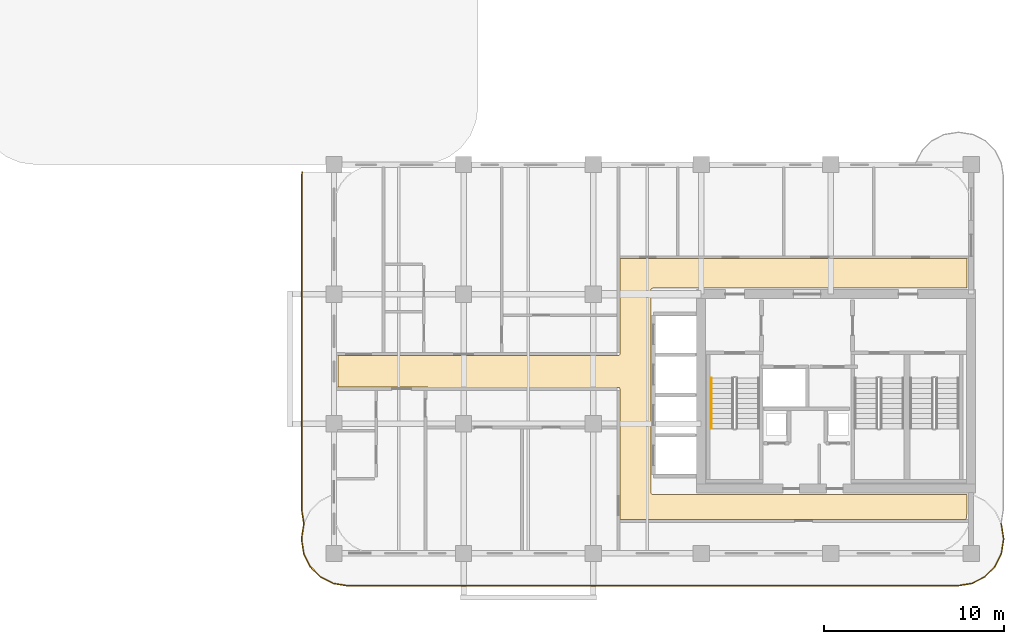
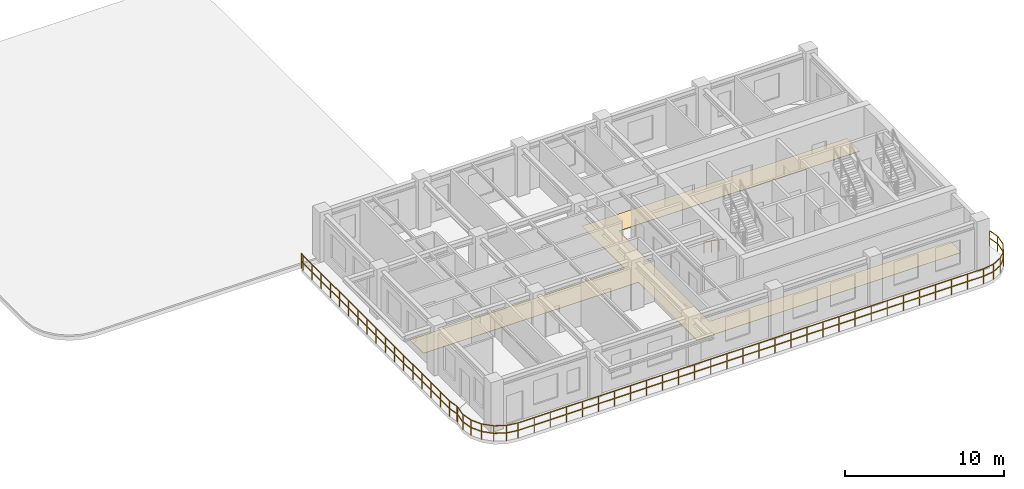
# One storey, part 7 of 8: 3 railings, 1 covering.
"""IFC4 building model written with IfcOpenShell, lengths in metres."""

from ifc_helpers import new_model, si_unit, derived_unit, direction, frame, origin, origin_2d, place, context, subcontext, project, spatial, polyline, rectangle, outline, extrude, material, layer, layer_set, type_object, element, save


model = new_model("IFC4")

# Units and contexts
model_context = context("Model", 3, precision=1e-05, world=origin(), true_north=direction((0.0, 1.0)))
body_context = subcontext(model_context, "Body", "Model", "MODEL_VIEW")
ifc_project = project(units=[si_unit("LENGTHUNIT", "METRE"), si_unit("AREAUNIT", "SQUARE_METRE"), si_unit("VOLUMEUNIT", "CUBIC_METRE"), si_unit("PLANEANGLEUNIT", "RADIAN"), si_unit("MASSUNIT", "GRAM", prefix="KILO"), si_unit("THERMODYNAMICTEMPERATUREUNIT", "KELVIN"), si_unit("POWERUNIT", "WATT"), derived_unit("THERMALTRANSMITTANCEUNIT", [(si_unit("POWERUNIT", "WATT"), 1), (si_unit("AREAUNIT", "SQUARE_METRE"), -1), (si_unit("THERMODYNAMICTEMPERATUREUNIT", "KELVIN"), -1)])], contexts=[model_context])

# Site, building, storey
site_placement = place(None, origin())
site = spatial("IfcSite", under=ifc_project, at=site_placement, CompositionType="ELEMENT")
building_placement = place(site_placement, origin())
building = spatial("IfcBuilding", under=site, at=building_placement, Name="Zahravan Archway Hotel and Residences", CompositionType="ELEMENT")
storey_placement = place(building_placement, frame((0.0, 0.0, 213.449951171875)))
storey = spatial("IfcBuildingStorey", under=building, at=storey_placement, Name="L53", CompositionType="ELEMENT", Elevation=213.449951171875)

# Covering
ifc_material_1 = material(Name="Engineered Walnut Parquet Flooring")
ifc_layer = layer(ifc_material_1, 0.02197265625, Name="Engineered Walnut Parquet Flooring")
ifc_layer_set = layer_set([ifc_layer], Name="Engineered Walnut Parquet Flooring")
covering_type = type_object("IfcCoveringType", Name="COV-FLR-TIMB", PredefinedType="FLOORING", material=ifc_layer_set)
covering_placement = place(storey_placement, origin())
element("IfcCovering", 1, at=covering_placement, inside=storey, type_object=covering_type, Name="L53 Circulation Floor Finish", PredefinedType="FLOORING", context=body_context, shape_type="SweptSolid", body=[
    extrude(outline(polyline([(30.215576171875, 10.991455078125), (30.256591796875, 11.013427734375), (30.278564453125, 11.054443359375), (30.280029296875, 16.3701171875), (49.580078125, 16.3701171875), (49.580078125, 14.72998046875), (32.10009765625, 14.72998046875), (32.0556640625, 14.716552734375), (32.026123046875, 14.6806640625), (32.02001953125, 3.35009765625), (32.033447265625, 3.3056640625), (32.0693359375, 3.276123046875), (49.580078125, 3.27001953125), (49.580078125, 2.410888671875), (49.537109375, 1.974853515625), (49.50830078125, 1.8798828125), (30.280029296875, 1.8798828125), (30.280029296875, 9.14990234375), (30.2666015625, 9.1943359375), (30.230712890625, 9.223876953125), (14.6201171875, 9.22998046875), (14.6201171875, 10.989990234375), (30.199951171875, 10.989990234375), (30.215576171875, 10.991455078125)])), origin(), (0.0, 0.0, 1.0), 0.02197265625),
])

# Railings
ifc_material_2 = material(Name="Bronze & Laminated Glass Balustrade", Category="glass")
railing_type_1 = type_object("IfcRailingType", Name="RL-BAL-1200", PredefinedType="BALUSTRADE", material=ifc_material_2)
railing_1_placement = place(storey_placement, frame((51.47509765625, 1.637939453125, 0.0)))
element("IfcRailing", 2, at=railing_1_placement, inside=storey, type_object=railing_type_1, Name="L53 Balustrade RL-SLB-BAL-L53-SA-1", PredefinedType="BALUSTRADE", context=body_context, shape_type="SweptSolid", body=[
    extrude(rectangle(XDim=0.048095703125, YDim=0.048095703125, at=origin_2d()), frame((0.0, 0.0, 1.17578125), z_axis=(0.156701202656, -0.987646056584, 0.0), x_axis=(0.987646056584, 0.156701202656, 0.0)), (0.0, 0.0, 1.0), 0.797607421875),
    extrude(rectangle(XDim=0.048095703125, YDim=0.048095703125, at=origin_2d()), frame((0.0, 0.0, 0.60009765625), z_axis=(0.156701202656, -0.987646056584, 0.0), x_axis=(0.987646056584, 0.156701202656, 0.0)), (0.0, 0.0, 1.0), 0.797607421875),
    extrude(rectangle(XDim=0.048095703125, YDim=0.048095703125, at=origin_2d()), frame((0.125, -0.787841796875, 1.17578125), z_axis=(0.0, -1.0, 0.0), x_axis=(1.0, 0.0, 0.0)), (0.0, 0.0, 1.0), 0.10009765625),
    extrude(rectangle(XDim=0.048095703125, YDim=0.048095703125, at=origin_2d()), frame((0.125, -0.787841796875, 0.60009765625), z_axis=(0.0, -1.0, 0.0), x_axis=(1.0, 0.0, 0.0)), (0.0, 0.0, 1.0), 0.10009765625),
    extrude(rectangle(XDim=0.048095703125, YDim=0.048095703125, at=origin_2d()), frame((0.125, -0.887939453125, 1.17578125), z_axis=(-0.156653849773, -0.98765356849, 0.0), x_axis=(0.98765356849, -0.156653849773, 0.0)), (0.0, 0.0, 1.0), 0.7978515625),
    extrude(rectangle(XDim=0.048095703125, YDim=0.048095703125, at=origin_2d()), frame((0.125, -0.887939453125, 0.60009765625), z_axis=(-0.156653849773, -0.98765356849, 0.0), x_axis=(0.98765356849, -0.156653849773, 0.0)), (0.0, 0.0, 1.0), 0.7978515625),
    extrude(rectangle(XDim=0.048095703125, YDim=0.048095703125, at=origin_2d()), frame((0.0, -1.676025390625, 1.17578125), z_axis=(-0.453934952053, -0.891034824967, 0.0), x_axis=(0.891034824967, -0.453934952053, 0.0)), (0.0, 0.0, 1.0), 0.797607421875),
    extrude(rectangle(XDim=0.048095703125, YDim=0.048095703125, at=origin_2d()), frame((0.0, -1.676025390625, 0.60009765625), z_axis=(-0.453934952053, -0.891034824967, 0.0), x_axis=(0.891034824967, -0.453934952053, 0.0)), (0.0, 0.0, 1.0), 0.797607421875),
    extrude(rectangle(XDim=0.048095703125, YDim=0.048095703125, at=origin_2d()), frame((-0.362060546875, -2.38671875, 1.17578125), z_axis=(-0.707106781187, -0.707106781187, 0.0), x_axis=(0.707106781187, -0.707106781187, 0.0)), (0.0, 0.0, 1.0), 0.7978515625),
    extrude(rectangle(XDim=0.048095703125, YDim=0.048095703125, at=origin_2d()), frame((-0.362060546875, -2.38671875, 0.60009765625), z_axis=(-0.707106781187, -0.707106781187, 0.0), x_axis=(0.707106781187, -0.707106781187, 0.0)), (0.0, 0.0, 1.0), 0.7978515625),
    extrude(rectangle(XDim=0.048095703125, YDim=0.048095703125, at=origin_2d()), frame((-0.92626953125, -2.950927734375, 1.17578125), z_axis=(-0.890974108706, -0.454054113091, 0.0), x_axis=(0.454054113091, -0.890974108706, 0.0)), (0.0, 0.0, 1.0), 0.7978515625),
    extrude(rectangle(XDim=0.048095703125, YDim=0.048095703125, at=origin_2d()), frame((-0.92626953125, -2.950927734375, 0.60009765625), z_axis=(-0.890974108706, -0.454054113091, 0.0), x_axis=(0.454054113091, -0.890974108706, 0.0)), (0.0, 0.0, 1.0), 0.7978515625),
    extrude(rectangle(XDim=0.048095703125, YDim=0.048095703125, at=origin_2d()), frame((-1.63720703125, -3.313232421875, 1.17578125), z_axis=(-0.987693380745, -0.156402639467, 0.0), x_axis=(0.156402639467, -0.987693380745, 0.0)), (0.0, 0.0, 1.0), 0.797607421875),
    extrude(rectangle(XDim=0.048095703125, YDim=0.048095703125, at=origin_2d()), frame((-1.63720703125, -3.313232421875, 0.60009765625), z_axis=(-0.987693380745, -0.156402639467, 0.0), x_axis=(0.156402639467, -0.987693380745, 0.0)), (0.0, 0.0, 1.0), 0.797607421875),
    extrude(rectangle(XDim=0.048095703125, YDim=0.048095703125, at=origin_2d()), frame((-2.425048828125, -3.43798828125, 1.17578125), z_axis=(-1.0, 0.0, 0.0), x_axis=(0.0, -1.0, 0.0)), (0.0, 0.0, 1.0), 33.900146484375),
    extrude(rectangle(XDim=0.048095703125, YDim=0.048095703125, at=origin_2d()), frame((-2.425048828125, -3.43798828125, 0.60009765625), z_axis=(-1.0, 0.0, 0.0), x_axis=(0.0, -1.0, 0.0)), (0.0, 0.0, 1.0), 33.900146484375),
    extrude(rectangle(XDim=0.048095703125, YDim=0.048095703125, at=origin_2d()), frame((-36.3251953125, -3.43798828125, 1.17578125), z_axis=(-0.987693380745, 0.156402639467, 0.0), x_axis=(-0.156402639467, -0.987693380745, 0.0)), (0.0, 0.0, 1.0), 0.797607421875),
    extrude(rectangle(XDim=0.048095703125, YDim=0.048095703125, at=origin_2d()), frame((-36.3251953125, -3.43798828125, 0.60009765625), z_axis=(-0.987693380745, 0.156402639467, 0.0), x_axis=(-0.156402639467, -0.987693380745, 0.0)), (0.0, 0.0, 1.0), 0.797607421875),
    extrude(rectangle(XDim=0.048095703125, YDim=0.048095703125, at=origin_2d()), frame((-37.113037109375, -3.313232421875, 1.17578125), z_axis=(-0.890974108706, 0.454054113091, 0.0), x_axis=(-0.454054113091, -0.890974108706, 0.0)), (0.0, 0.0, 1.0), 0.7978515625),
    extrude(rectangle(XDim=0.048095703125, YDim=0.048095703125, at=origin_2d()), frame((-37.113037109375, -3.313232421875, 0.60009765625), z_axis=(-0.890974108706, 0.454054113091, 0.0), x_axis=(-0.454054113091, -0.890974108706, 0.0)), (0.0, 0.0, 1.0), 0.7978515625),
    extrude(rectangle(XDim=0.048095703125, YDim=0.048095703125, at=origin_2d()), frame((-37.823974609375, -2.950927734375, 1.17578125), z_axis=(-0.707106781187, 0.707106781187, 0.0), x_axis=(-0.707106781187, -0.707106781187, 0.0)), (0.0, 0.0, 1.0), 0.7978515625),
    extrude(rectangle(XDim=0.048095703125, YDim=0.048095703125, at=origin_2d()), frame((-37.823974609375, -2.950927734375, 0.60009765625), z_axis=(-0.707106781187, 0.707106781187, 0.0), x_axis=(-0.707106781187, -0.707106781187, 0.0)), (0.0, 0.0, 1.0), 0.7978515625),
    extrude(rectangle(XDim=0.048095703125, YDim=0.048095703125, at=origin_2d()), frame((-38.38818359375, -2.38671875, 1.17578125), z_axis=(-0.453934952053, 0.891034824967, 0.0), x_axis=(-0.891034824967, -0.453934952053, 0.0)), (0.0, 0.0, 1.0), 0.797607421875),
    extrude(rectangle(XDim=0.048095703125, YDim=0.048095703125, at=origin_2d()), frame((-38.38818359375, -2.38671875, 0.60009765625), z_axis=(-0.453934952053, 0.891034824967, 0.0), x_axis=(-0.891034824967, -0.453934952053, 0.0)), (0.0, 0.0, 1.0), 0.797607421875),
    extrude(rectangle(XDim=0.048095703125, YDim=0.048095703125, at=origin_2d()), frame((-38.750244140625, -1.676025390625, 1.17578125), z_axis=(-0.156355372278, 0.987700864412, 0.0), x_axis=(-0.987700864412, -0.156355372278, 0.0)), (0.0, 0.0, 1.0), 0.7978515625),
    extrude(rectangle(XDim=0.048095703125, YDim=0.048095703125, at=origin_2d()), frame((-38.750244140625, -1.676025390625, 0.60009765625), z_axis=(-0.156355372278, 0.987700864412, 0.0), x_axis=(-0.987700864412, -0.156355372278, 0.0)), (0.0, 0.0, 1.0), 0.7978515625),
    extrude(rectangle(XDim=0.048095703125, YDim=0.048095703125, at=origin_2d()), frame((-38.875, -0.887939453125, 1.17578125), z_axis=(0.0, 1.0, 0.0), x_axis=(-1.0, 0.0, 0.0)), (0.0, 0.0, 1.0), 0.10009765625),
    extrude(rectangle(XDim=0.048095703125, YDim=0.048095703125, at=origin_2d()), frame((-38.875, -0.887939453125, 0.60009765625), z_axis=(0.0, 1.0, 0.0), x_axis=(-1.0, 0.0, 0.0)), (0.0, 0.0, 1.0), 0.10009765625),
    extrude(rectangle(XDim=0.048095703125, YDim=0.048095703125, at=origin_2d()), frame((-38.875, -0.787841796875, 1.17578125), z_axis=(0.156402639467, 0.987693380745, 0.0), x_axis=(-0.987693380745, 0.156402639467, 0.0)), (0.0, 0.0, 1.0), 0.797607421875),
    extrude(rectangle(XDim=0.048095703125, YDim=0.048095703125, at=origin_2d()), frame((-38.875, -0.787841796875, 0.60009765625), z_axis=(0.156402639467, 0.987693380745, 0.0), x_axis=(-0.987693380745, 0.156402639467, 0.0)), (0.0, 0.0, 1.0), 0.797607421875),
    extrude(rectangle(XDim=0.0419921875, YDim=0.0419921875, at=origin_2d()), origin(), (0.0, 0.0, 1.0), 1.15185546875),
    extrude(rectangle(XDim=0.0419921875, YDim=0.0419921875, at=origin_2d()), frame((0.125, -0.787841796875, 0.0)), (0.0, 0.0, 1.0), 1.15185546875),
    extrude(rectangle(XDim=0.0419921875, YDim=0.0419921875, at=origin_2d()), frame((0.0, -1.676025390625, 0.0)), (0.0, 0.0, 1.0), 1.15185546875),
    extrude(rectangle(XDim=0.0419921875, YDim=0.0419921875, at=origin_2d()), frame((-0.362060546875, -2.38671875, 0.0)), (0.0, 0.0, 1.0), 1.15185546875),
    extrude(rectangle(XDim=0.0419921875, YDim=0.0419921875, at=origin_2d()), frame((-0.92626953125, -2.950927734375, 0.0)), (0.0, 0.0, 1.0), 1.15185546875),
    extrude(rectangle(XDim=0.0419921875, YDim=0.0419921875, at=origin_2d()), frame((-1.63720703125, -3.313232421875, 0.0)), (0.0, 0.0, 1.0), 1.15185546875),
    extrude(rectangle(XDim=0.0419921875, YDim=0.0419921875, at=origin_2d()), frame((-2.425048828125, -3.43798828125, 0.0)), (0.0, 0.0, 1.0), 1.15185546875),
    extrude(rectangle(XDim=0.0419921875, YDim=0.0419921875, at=origin_2d()), frame((-3.593994140625, -3.43798828125, 0.0)), (0.0, 0.0, 1.0), 1.15185546875),
    extrude(rectangle(XDim=0.0419921875, YDim=0.0419921875, at=origin_2d()), frame((-4.762939453125, -3.43798828125, 0.0)), (0.0, 0.0, 1.0), 1.15185546875),
    extrude(rectangle(XDim=0.0419921875, YDim=0.0419921875, at=origin_2d()), frame((-5.931884765625, -3.43798828125, 0.0)), (0.0, 0.0, 1.0), 1.15185546875),
    extrude(rectangle(XDim=0.0419921875, YDim=0.0419921875, at=origin_2d()), frame((-7.100830078125, -3.43798828125, 0.0)), (0.0, 0.0, 1.0), 1.15185546875),
    extrude(rectangle(XDim=0.0419921875, YDim=0.0419921875, at=origin_2d()), frame((-8.27001953125, -3.43798828125, 0.0)), (0.0, 0.0, 1.0), 1.15185546875),
    extrude(rectangle(XDim=0.0419921875, YDim=0.0419921875, at=origin_2d()), frame((-9.43896484375, -3.43798828125, 0.0)), (0.0, 0.0, 1.0), 1.15185546875),
    extrude(rectangle(XDim=0.0419921875, YDim=0.0419921875, at=origin_2d()), frame((-10.60791015625, -3.43798828125, 0.0)), (0.0, 0.0, 1.0), 1.15185546875),
    extrude(rectangle(XDim=0.0419921875, YDim=0.0419921875, at=origin_2d()), frame((-11.77685546875, -3.43798828125, 0.0)), (0.0, 0.0, 1.0), 1.15185546875),
    extrude(rectangle(XDim=0.0419921875, YDim=0.0419921875, at=origin_2d()), frame((-12.94580078125, -3.43798828125, 0.0)), (0.0, 0.0, 1.0), 1.15185546875),
    extrude(rectangle(XDim=0.0419921875, YDim=0.0419921875, at=origin_2d()), frame((-14.11474609375, -3.43798828125, 0.0)), (0.0, 0.0, 1.0), 1.15185546875),
    extrude(rectangle(XDim=0.0419921875, YDim=0.0419921875, at=origin_2d()), frame((-15.28369140625, -3.43798828125, 0.0)), (0.0, 0.0, 1.0), 1.15185546875),
    extrude(rectangle(XDim=0.0419921875, YDim=0.0419921875, at=origin_2d()), frame((-16.45263671875, -3.43798828125, 0.0)), (0.0, 0.0, 1.0), 1.15185546875),
    extrude(rectangle(XDim=0.0419921875, YDim=0.0419921875, at=origin_2d()), frame((-17.62158203125, -3.43798828125, 0.0)), (0.0, 0.0, 1.0), 1.15185546875),
    extrude(rectangle(XDim=0.0419921875, YDim=0.0419921875, at=origin_2d()), frame((-18.79052734375, -3.43798828125, 0.0)), (0.0, 0.0, 1.0), 1.15185546875),
    extrude(rectangle(XDim=0.0419921875, YDim=0.0419921875, at=origin_2d()), frame((-19.959716796875, -3.43798828125, 0.0)), (0.0, 0.0, 1.0), 1.15185546875),
    extrude(rectangle(XDim=0.0419921875, YDim=0.0419921875, at=origin_2d()), frame((-21.128662109375, -3.43798828125, 0.0)), (0.0, 0.0, 1.0), 1.15185546875),
    extrude(rectangle(XDim=0.0419921875, YDim=0.0419921875, at=origin_2d()), frame((-22.297607421875, -3.43798828125, 0.0)), (0.0, 0.0, 1.0), 1.15185546875),
    extrude(rectangle(XDim=0.0419921875, YDim=0.0419921875, at=origin_2d()), frame((-23.466552734375, -3.43798828125, 0.0)), (0.0, 0.0, 1.0), 1.15185546875),
    extrude(rectangle(XDim=0.0419921875, YDim=0.0419921875, at=origin_2d()), frame((-24.635498046875, -3.43798828125, 0.0)), (0.0, 0.0, 1.0), 1.15185546875),
    extrude(rectangle(XDim=0.0419921875, YDim=0.0419921875, at=origin_2d()), frame((-25.804443359375, -3.43798828125, 0.0)), (0.0, 0.0, 1.0), 1.15185546875),
    extrude(rectangle(XDim=0.0419921875, YDim=0.0419921875, at=origin_2d()), frame((-26.973388671875, -3.43798828125, 0.0)), (0.0, 0.0, 1.0), 1.15185546875),
    extrude(rectangle(XDim=0.0419921875, YDim=0.0419921875, at=origin_2d()), frame((-28.142333984375, -3.43798828125, 0.0)), (0.0, 0.0, 1.0), 1.15185546875),
    extrude(rectangle(XDim=0.0419921875, YDim=0.0419921875, at=origin_2d()), frame((-29.311279296875, -3.43798828125, 0.0)), (0.0, 0.0, 1.0), 1.15185546875),
    extrude(rectangle(XDim=0.0419921875, YDim=0.0419921875, at=origin_2d()), frame((-30.480224609375, -3.43798828125, 0.0)), (0.0, 0.0, 1.0), 1.15185546875),
    extrude(rectangle(XDim=0.0419921875, YDim=0.0419921875, at=origin_2d()), frame((-31.6494140625, -3.43798828125, 0.0)), (0.0, 0.0, 1.0), 1.15185546875),
    extrude(rectangle(XDim=0.0419921875, YDim=0.0419921875, at=origin_2d()), frame((-32.818359375, -3.43798828125, 0.0)), (0.0, 0.0, 1.0), 1.15185546875),
    extrude(rectangle(XDim=0.0419921875, YDim=0.0419921875, at=origin_2d()), frame((-33.9873046875, -3.43798828125, 0.0)), (0.0, 0.0, 1.0), 1.15185546875),
    extrude(rectangle(XDim=0.0419921875, YDim=0.0419921875, at=origin_2d()), frame((-35.15625, -3.43798828125, 0.0)), (0.0, 0.0, 1.0), 1.15185546875),
    extrude(rectangle(XDim=0.0419921875, YDim=0.0419921875, at=origin_2d()), frame((-36.3251953125, -3.43798828125, 0.0)), (0.0, 0.0, 1.0), 1.15185546875),
    extrude(rectangle(XDim=0.0419921875, YDim=0.0419921875, at=origin_2d()), frame((-37.113037109375, -3.313232421875, 0.0)), (0.0, 0.0, 1.0), 1.15185546875),
    extrude(rectangle(XDim=0.0419921875, YDim=0.0419921875, at=origin_2d()), frame((-37.823974609375, -2.950927734375, 0.0)), (0.0, 0.0, 1.0), 1.15185546875),
    extrude(rectangle(XDim=0.0419921875, YDim=0.0419921875, at=origin_2d()), frame((-38.38818359375, -2.38671875, 0.0)), (0.0, 0.0, 1.0), 1.15185546875),
    extrude(rectangle(XDim=0.0419921875, YDim=0.0419921875, at=origin_2d()), frame((-38.750244140625, -1.676025390625, 0.0)), (0.0, 0.0, 1.0), 1.15185546875),
    extrude(rectangle(XDim=0.0419921875, YDim=0.0419921875, at=origin_2d()), frame((-38.875, -0.887939453125, 0.0)), (0.0, 0.0, 1.0), 1.15185546875),
    extrude(rectangle(XDim=0.0419921875, YDim=0.0419921875, at=origin_2d()), frame((-38.750244140625, 0.0, 0.0)), (0.0, 0.0, 1.0), 1.15185546875),
])
railing_2_placement = place(storey_placement, frame((12.719970703125, 1.69287109375, 0.0)))
element("IfcRailing", 3, at=railing_2_placement, inside=storey, type_object=railing_type_1, Name="L53 Balustrade RL-SLB-BAL-L53-WA-1", PredefinedType="BALUSTRADE", context=body_context, shape_type="SweptSolid", body=[
    extrude(rectangle(XDim=0.048095703125, YDim=0.048095703125, at=origin_2d()), frame((0.0, 0.0, 1.17578125), z_axis=(-0.156387811283, 0.987695728695, 0.0), x_axis=(-0.987695728695, -0.156387811283, 0.0)), (0.0, 0.0, 1.0), 0.7666015625),
    extrude(rectangle(XDim=0.048095703125, YDim=0.048095703125, at=origin_2d()), frame((0.0, 0.0, 0.60009765625), z_axis=(-0.156387811283, 0.987695728695, 0.0), x_axis=(-0.987695728695, -0.156387811283, 0.0)), (0.0, 0.0, 1.0), 0.7666015625),
    extrude(rectangle(XDim=0.048095703125, YDim=0.048095703125, at=origin_2d()), frame((-0.119873046875, 0.757080078125, 1.17578125), z_axis=(0.0, 1.0, 0.0), x_axis=(-1.0, 0.0, 0.0)), (0.0, 0.0, 1.0), 18.5),
    extrude(rectangle(XDim=0.048095703125, YDim=0.048095703125, at=origin_2d()), frame((-0.119873046875, 0.757080078125, 0.60009765625), z_axis=(0.0, 1.0, 0.0), x_axis=(-1.0, 0.0, 0.0)), (0.0, 0.0, 1.0), 18.5),
    extrude(rectangle(XDim=0.048095703125, YDim=0.048095703125, at=origin_2d()), frame((-0.119873046875, 19.257080078125, 1.17578125), z_axis=(0.155681073003, 0.987807371661, 0.0), x_axis=(-0.987807371661, 0.155681073003, 0.0)), (0.0, 0.0, 1.0), 0.22265625),
    extrude(rectangle(XDim=0.048095703125, YDim=0.048095703125, at=origin_2d()), frame((-0.119873046875, 19.257080078125, 0.60009765625), z_axis=(0.155681073003, 0.987807371661, 0.0), x_axis=(-0.987807371661, 0.155681073003, 0.0)), (0.0, 0.0, 1.0), 0.22265625),
    extrude(rectangle(XDim=0.0419921875, YDim=0.0419921875, at=origin_2d()), origin(), (0.0, 0.0, 1.0), 1.15185546875),
    extrude(rectangle(XDim=0.0419921875, YDim=0.0419921875, at=origin_2d()), frame((-0.119873046875, 0.757080078125, 0.0)), (0.0, 0.0, 1.0), 1.15185546875),
    extrude(rectangle(XDim=0.0419921875, YDim=0.0419921875, at=origin_2d()), frame((-0.119873046875, 1.913330078125, 0.0)), (0.0, 0.0, 1.0), 1.15185546875),
    extrude(rectangle(XDim=0.0419921875, YDim=0.0419921875, at=origin_2d()), frame((-0.119873046875, 3.069580078125, 0.0)), (0.0, 0.0, 1.0), 1.15185546875),
    extrude(rectangle(XDim=0.0419921875, YDim=0.0419921875, at=origin_2d()), frame((-0.119873046875, 4.225830078125, 0.0)), (0.0, 0.0, 1.0), 1.15185546875),
    extrude(rectangle(XDim=0.0419921875, YDim=0.0419921875, at=origin_2d()), frame((-0.119873046875, 5.382080078125, 0.0)), (0.0, 0.0, 1.0), 1.15185546875),
    extrude(rectangle(XDim=0.0419921875, YDim=0.0419921875, at=origin_2d()), frame((-0.119873046875, 6.538330078125, 0.0)), (0.0, 0.0, 1.0), 1.15185546875),
    extrude(rectangle(XDim=0.0419921875, YDim=0.0419921875, at=origin_2d()), frame((-0.119873046875, 7.694580078125, 0.0)), (0.0, 0.0, 1.0), 1.15185546875),
    extrude(rectangle(XDim=0.0419921875, YDim=0.0419921875, at=origin_2d()), frame((-0.119873046875, 8.850830078125, 0.0)), (0.0, 0.0, 1.0), 1.15185546875),
    extrude(rectangle(XDim=0.0419921875, YDim=0.0419921875, at=origin_2d()), frame((-0.119873046875, 10.007080078125, 0.0)), (0.0, 0.0, 1.0), 1.15185546875),
    extrude(rectangle(XDim=0.0419921875, YDim=0.0419921875, at=origin_2d()), frame((-0.119873046875, 11.163330078125, 0.0)), (0.0, 0.0, 1.0), 1.15185546875),
    extrude(rectangle(XDim=0.0419921875, YDim=0.0419921875, at=origin_2d()), frame((-0.119873046875, 12.319580078125, 0.0)), (0.0, 0.0, 1.0), 1.15185546875),
    extrude(rectangle(XDim=0.0419921875, YDim=0.0419921875, at=origin_2d()), frame((-0.119873046875, 13.475830078125, 0.0)), (0.0, 0.0, 1.0), 1.15185546875),
    extrude(rectangle(XDim=0.0419921875, YDim=0.0419921875, at=origin_2d()), frame((-0.119873046875, 14.632080078125, 0.0)), (0.0, 0.0, 1.0), 1.15185546875),
    extrude(rectangle(XDim=0.0419921875, YDim=0.0419921875, at=origin_2d()), frame((-0.119873046875, 15.788330078125, 0.0)), (0.0, 0.0, 1.0), 1.15185546875),
    extrude(rectangle(XDim=0.0419921875, YDim=0.0419921875, at=origin_2d()), frame((-0.119873046875, 16.944580078125, 0.0)), (0.0, 0.0, 1.0), 1.15185546875),
    extrude(rectangle(XDim=0.0419921875, YDim=0.0419921875, at=origin_2d()), frame((-0.119873046875, 18.100830078125, 0.0)), (0.0, 0.0, 1.0), 1.15185546875),
    extrude(rectangle(XDim=0.0419921875, YDim=0.0419921875, at=origin_2d()), frame((-0.119873046875, 19.257080078125, 0.0)), (0.0, 0.0, 1.0), 1.15185546875),
    extrude(rectangle(XDim=0.0419921875, YDim=0.0419921875, at=origin_2d()), frame((-0.085205078125, 19.47705078125, 0.0)), (0.0, 0.0, 1.0), 1.15185546875),
])
ifc_material_3 = material(Name="Brushed Stainless Steel", Category="steel")
railing_type_2 = type_object("IfcRailingType", Name="RL-STH-900", PredefinedType="HANDRAIL", material=ifc_material_3)
railing_3_placement = place(storey_placement, frame((35.35009765625, 9.72998046875, 0.175048828125)))
element("IfcRailing", 4, at=railing_3_placement, inside=storey, type_object=railing_type_2, Name="L53 ST-A1 stair handrail 1", PredefinedType="HANDRAIL", context=body_context, shape_type="SweptSolid", body=[
    extrude(rectangle(XDim=0.048095703125, YDim=0.048095703125, at=origin_2d()), frame((0.0, 0.0, 0.8759765625), z_axis=(0.0, -0.824039827795, 0.566531872191), x_axis=(1.0, 0.0, 0.0)), (0.0, 0.0, 1.0), 3.39794921875),
    extrude(rectangle(XDim=0.0419921875, YDim=0.0419921875, at=origin_2d()), origin(), (0.0, 0.0, 1.0), 0.851806640625),
    extrude(rectangle(XDim=0.0419921875, YDim=0.0419921875, at=origin_2d()), frame((0.0, -0.933349609375, 0.6416015625)), (0.0, 0.0, 1.0), 0.851806640625),
    extrude(rectangle(XDim=0.0419921875, YDim=0.0419921875, at=origin_2d()), frame((0.0, -1.86669921875, 1.283447265625)), (0.0, 0.0, 1.0), 0.851806640625),
    extrude(rectangle(XDim=0.0419921875, YDim=0.0419921875, at=origin_2d()), frame((0.0, -2.800048828125, 1.925048828125)), (0.0, 0.0, 1.0), 0.851806640625),
])

save(model, "model.ifc")
